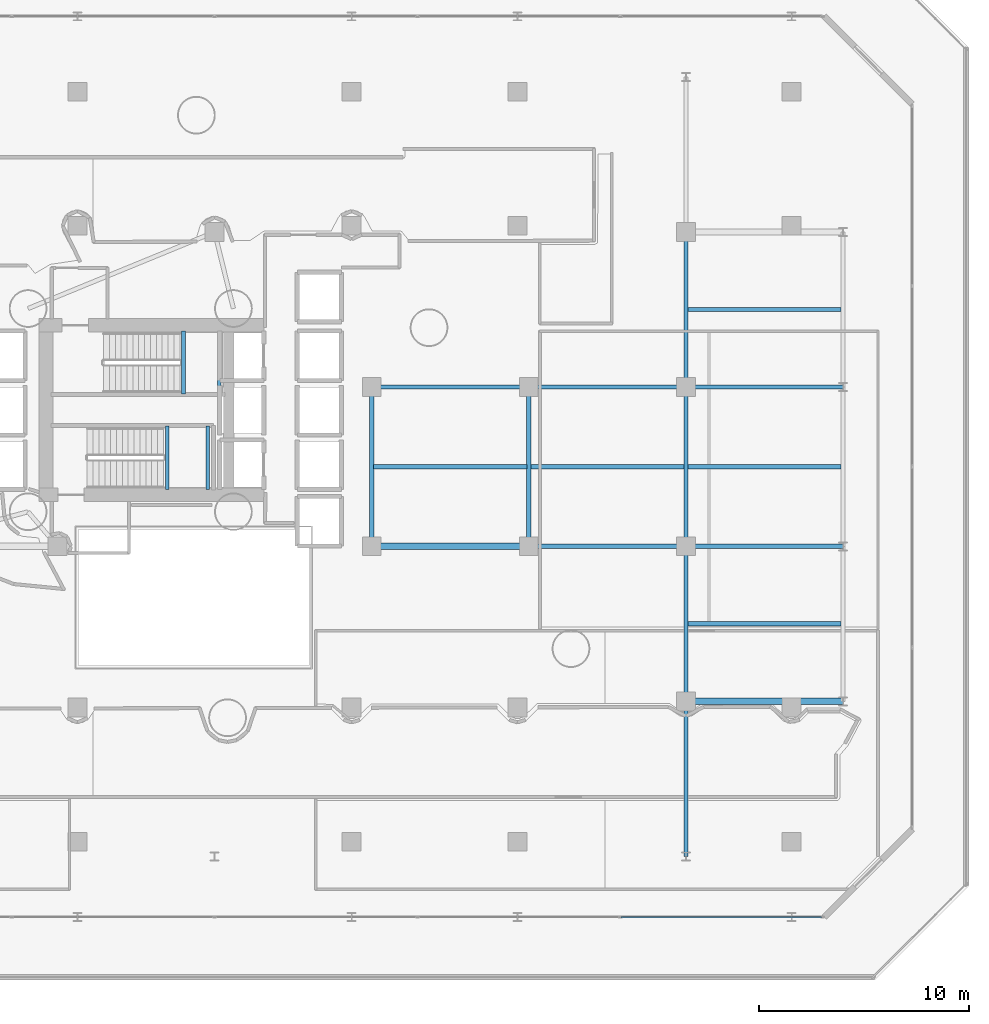
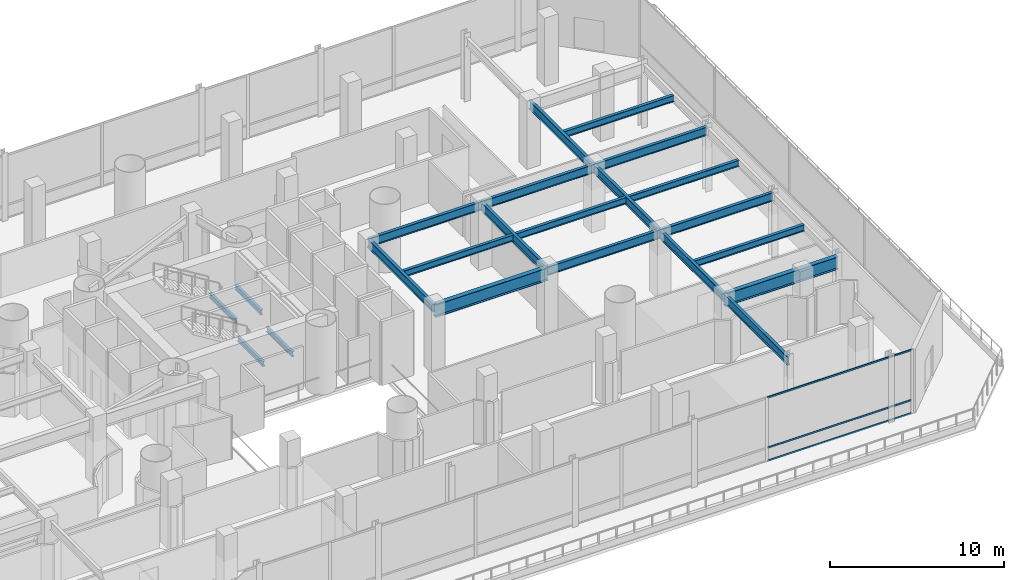
# One storey, part 13 of 39: 22 beams, 3 members, 1 element without a shape of its own.
"""IFC4 building model written with IfcOpenShell, lengths in metres."""

from ifc_helpers import new_model, si_unit, direction, frame, origin, origin_2d, place, context, subcontext, project, spatial, hollow_rectangle, i_section, extrude, material, layer, layer_set, material_profile, profile_set, type_object, element, aggregate, save


model = new_model("IFC4")

# Units and contexts
model_context = context("Model", 3, precision=1e-05, world=origin(), true_north=direction((0.0, 1.0)))
body_context = subcontext(model_context, "Body", "Model", "MODEL_VIEW")
ifc_project = project(units=[si_unit("LENGTHUNIT", "METRE"), si_unit("AREAUNIT", "SQUARE_METRE"), si_unit("VOLUMEUNIT", "CUBIC_METRE"), si_unit("PLANEANGLEUNIT", "RADIAN"), si_unit("MASSUNIT", "GRAM", prefix="KILO")], contexts=[model_context])

# Site, building, storey
site_placement = place(None, origin())
site = spatial("IfcSite", under=ifc_project, at=site_placement, CompositionType="ELEMENT")
building_placement = place(site_placement, origin())
building = spatial("IfcBuilding", under=site, at=building_placement, Name="Qianvela Tower", CompositionType="ELEMENT")
storey_placement = place(building_placement, frame((0.0, 0.0, 15.800048828125)))
storey = spatial("IfcBuildingStorey", under=building, at=storey_placement, Name="L03", CompositionType="ELEMENT", Elevation=15.800048828125)

# Beams
ifc_material_1 = material(Name="Steel Q355B", Category="steel")
ifc_material_profile_1 = material_profile(ifc_material_1, i_section(OverallWidth=0.175048828125, OverallDepth=0.35009765625, WebThickness=0.007080078125, FlangeThickness=0.010986328125, at=origin_2d()), Name="HN350x175x7x11")
ifc_profile_set_1 = profile_set([ifc_material_profile_1], Name="Steel Q355B")
beam_type_1 = type_object("IfcBeamType", Name="BM-HN350-JOIST", PredefinedType="JOIST", material=ifc_profile_set_1)
for number, where, z_axis, x_axis, name in (
    (1, (36.02001953125, 29.4599609375, 2.02490234375), (0.0, 1.0, 0.0), (-1.0, 0.0, 0.0), "L03 Stair ST-1 Landing Support Beam 1.1"),
    (2, (37.719970703125, 29.4599609375, 2.02490234375), (0.0, 1.0, 0.0), (-1.0, 0.0, 0.0), "L03 Stair ST-1 Landing Support Beam 1.2"),
    (3, (35.239990234375, 24.919921875, 2.02490234375), (0.0, 1.0, 0.0), (-1.0, 0.0, 0.0), "L03 Stair ST-2 Landing Support Beam 1.1"),
    (4, (37.169921875, 24.919921875, 2.02490234375), (0.0, 1.0, 0.0), (-1.0, 0.0, 0.0), "L03 Stair ST-2 Landing Support Beam 1.2"),
):
    element("IfcBeam", number, at=place(storey_placement, frame(where, z_axis=z_axis, x_axis=x_axis)), inside=storey, type_object=beam_type_1, Name=name, PredefinedType="JOIST", context=body_context, shape_type="SweptSolid", body=[
        extrude(i_section(OverallWidth=0.175048828125, OverallDepth=0.35009765625, WebThickness=0.007080078125, FlangeThickness=0.010986328125, at=origin_2d()), origin(), (0.0, 0.0, 1.0), 3.02001953125),
    ])
ifc_material_2 = material(Name="Steel Q355B", Category="steel")
ifc_material_profile_2 = material_profile(ifc_material_2, i_section(OverallWidth=0.199951171875, OverallDepth=0.449951171875, WebThickness=0.009033203125, FlangeThickness=0.013916015625, at=origin_2d()), Name="HN450x200x9x14")
ifc_profile_set_2 = profile_set([ifc_material_profile_2], Name="Steel Q355B")
beam_type_2 = type_object("IfcBeamType", Name="BM-HN450-JOIST", PredefinedType="JOIST", material=ifc_profile_set_2)
for number, where, z_axis, x_axis, name in (
    (5, (45.095947265625, 26.0, 4.27294921875), (1.0, 0.0, 0.0), (0.0, 1.0, 0.0), "L03 Secondary Floor Joist 46"),
    (6, (52.595947265625, 26.0, 4.27294921875), (1.0, 0.0, 0.0), (0.0, 1.0, 0.0), "L03 Secondary Floor Joist 47"),
    (7, (60.095947265625, 18.5, 4.27294921875), (1.0, 0.0, 0.0), (0.0, 1.0, 0.0), "L03 Secondary Floor Joist 48"),
    (8, (60.095947265625, 26.0, 4.27294921875), (1.0, 0.0, 0.0), (0.0, 1.0, 0.0), "L03 Secondary Floor Joist 49"),
    (9, (60.095947265625, 33.5, 4.27294921875), (1.0, 0.0, 0.0), (0.0, 1.0, 0.0), "L03 Secondary Floor Joist 50"),
):
    element("IfcBeam", number, at=place(storey_placement, frame(where, z_axis=z_axis, x_axis=x_axis)), inside=storey, type_object=beam_type_2, Name=name, PredefinedType="JOIST", context=body_context, shape_type="SweptSolid", body=[
        extrude(i_section(OverallWidth=0.199951171875, OverallDepth=0.449951171875, WebThickness=0.009033203125, FlangeThickness=0.013916015625, at=origin_2d()), origin(), (0.0, 0.0, 1.0), 7.30810546875),
    ])
ifc_material_3 = material(Name="Steel Q355B", Category="steel")
ifc_material_profile_3 = material_profile(ifc_material_3, i_section(OverallWidth=0.199951171875, OverallDepth=0.60009765625, WebThickness=0.010986328125, FlangeThickness=0.01708984375, at=origin_2d()), Name="HN600x200x11x17")
ifc_profile_set_3 = profile_set([ifc_material_profile_3], Name="Steel Q355B")
beam_type_3 = type_object("IfcBeamType", Name="BM-HN600-GIRD", PredefinedType="BEAM", material=ifc_profile_set_3)
for number, where, z_axis, x_axis, name in (
    (10, (52.5, 22.199951171875, 4.197998046875), (1.0, 0.0, 0.0), (0.0, 1.0, 0.0), "L03 East-West Grid Girder 7"),
    (11, (60.0, 22.199951171875, 4.197998046875), (1.0, 0.0, 0.0), (0.0, 1.0, 0.0), "L03 East-West Grid Girder 8"),
    (12, (45.0, 29.800048828125, 4.197998046875), (1.0, 0.0, 0.0), (0.0, 1.0, 0.0), "L03 East-West Grid Girder 11"),
    (13, (52.5, 29.800048828125, 4.197998046875), (1.0, 0.0, 0.0), (0.0, 1.0, 0.0), "L03 East-West Grid Girder 12"),
    (14, (60.0, 29.800048828125, 4.197998046875), (1.0, 0.0, 0.0), (0.0, 1.0, 0.0), "L03 East-West Grid Girder 13"),
):
    element("IfcBeam", number, at=place(storey_placement, frame(where, z_axis=z_axis, x_axis=x_axis)), inside=storey, type_object=beam_type_3, Name=name, PredefinedType="BEAM", context=body_context, shape_type="SweptSolid", body=[
        extrude(i_section(OverallWidth=0.199951171875, OverallDepth=0.60009765625, WebThickness=0.010986328125, FlangeThickness=0.01708984375, at=origin_2d()), origin(), (0.0, 0.0, 1.0), 7.5),
    ])
for number, where, z_axis, x_axis, name in (
    (15, (45.0, 22.199951171875, 4.197998046875), (0.0, 1.0, 0.0), (-1.0, 0.0, 0.0), "L03 North-South Grid Girder 25"),
    (16, (52.5, 22.199951171875, 4.197998046875), (0.0, 1.0, 0.0), (-1.0, 0.0, 0.0), "L03 North-South Grid Girder 26"),
):
    element("IfcBeam", number, at=place(storey_placement, frame(where, z_axis=z_axis, x_axis=x_axis)), inside=storey, type_object=beam_type_3, Name=name, PredefinedType="BEAM", context=body_context, shape_type="SweptSolid", body=[
        extrude(i_section(OverallWidth=0.199951171875, OverallDepth=0.60009765625, WebThickness=0.010986328125, FlangeThickness=0.01708984375, at=origin_2d()), origin(), (0.0, 0.0, 1.0), 7.60009765625),
    ])
beam_1_placement = place(storey_placement, frame((60.0, 7.39990234375, 4.197998046875), z_axis=(0.0, 1.0, 0.0), x_axis=(-1.0, 0.0, 0.0)))
element("IfcBeam", 17, at=beam_1_placement, inside=storey, type_object=beam_type_3, Name="L03 North-South Grid Girder 27", PredefinedType="BEAM", context=body_context, shape_type="SweptSolid", body=[
    extrude(i_section(OverallWidth=0.199951171875, OverallDepth=0.60009765625, WebThickness=0.010986328125, FlangeThickness=0.01708984375, at=origin_2d()), origin(), (0.0, 0.0, 1.0), 7.400146484375),
])
beam_2_placement = place(storey_placement, frame((60.0, 14.800048828125, 4.197998046875), z_axis=(0.0, 1.0, 0.0), x_axis=(-1.0, 0.0, 0.0)))
element("IfcBeam", 18, at=beam_2_placement, inside=storey, type_object=beam_type_3, Name="L03 North-South Grid Girder 28", PredefinedType="BEAM", context=body_context, shape_type="SweptSolid", body=[
    extrude(i_section(OverallWidth=0.199951171875, OverallDepth=0.60009765625, WebThickness=0.010986328125, FlangeThickness=0.01708984375, at=origin_2d()), origin(), (0.0, 0.0, 1.0), 7.39990234375),
])
beam_3_placement = place(storey_placement, frame((60.0, 22.199951171875, 4.197998046875), z_axis=(0.0, 1.0, 0.0), x_axis=(-1.0, 0.0, 0.0)))
element("IfcBeam", 19, at=beam_3_placement, inside=storey, type_object=beam_type_3, Name="L03 North-South Grid Girder 29", PredefinedType="BEAM", context=body_context, shape_type="SweptSolid", body=[
    extrude(i_section(OverallWidth=0.199951171875, OverallDepth=0.60009765625, WebThickness=0.010986328125, FlangeThickness=0.01708984375, at=origin_2d()), origin(), (0.0, 0.0, 1.0), 7.60009765625),
])
beam_4_placement = place(storey_placement, frame((60.0, 29.800048828125, 4.197998046875), z_axis=(0.0, 1.0, 0.0), x_axis=(-1.0, 0.0, 0.0)))
element("IfcBeam", 20, at=beam_4_placement, inside=storey, type_object=beam_type_3, Name="L03 North-South Grid Girder 30", PredefinedType="BEAM", context=body_context, shape_type="SweptSolid", body=[
    extrude(i_section(OverallWidth=0.199951171875, OverallDepth=0.60009765625, WebThickness=0.010986328125, FlangeThickness=0.01708984375, at=origin_2d()), origin(), (0.0, 0.0, 1.0), 7.39990234375),
])
ifc_material_4 = material(Name="Steel Q355B", Category="steel")
ifc_material_profile_4 = material_profile(ifc_material_4, i_section(OverallWidth=0.300048828125, OverallDepth=0.89990234375, WebThickness=0.01611328125, FlangeThickness=0.028076171875, at=origin_2d()), Name="HN900x300x16x28")
ifc_profile_set_4 = profile_set([ifc_material_profile_4], Name="Steel Q355B")
beam_type_4 = type_object("IfcBeamType", Name="BM-HN900-SPAND", PredefinedType="SPANDREL", material=ifc_profile_set_4)
for number, where, z_axis, x_axis, name in (
    (21, (60.0, 14.800048828125, 4.0478515625), (1.0, 0.0, 0.0), (0.0, 1.0, 0.0), "L03 East-West Grid Girder 2"),
    (22, (45.0, 22.199951171875, 4.0478515625), (1.0, 0.0, 0.0), (0.0, 1.0, 0.0), "L03 East-West Grid Girder 6"),
):
    element("IfcBeam", number, at=place(storey_placement, frame(where, z_axis=z_axis, x_axis=x_axis)), inside=storey, type_object=beam_type_4, Name=name, PredefinedType="SPANDREL", context=body_context, shape_type="SweptSolid", body=[
        extrude(i_section(OverallWidth=0.300048828125, OverallDepth=0.89990234375, WebThickness=0.01611328125, FlangeThickness=0.028076171875, at=origin_2d()), origin(), (0.0, 0.0, 1.0), 7.5),
    ])

# Curtain wall, members
ifc_material_5 = material(Name="Anodised Architectural Aluminium and Low-E Glass", Category="aluminium")
ifc_layer = layer(ifc_material_5, 0.179931640625)
ifc_layer_set = layer_set([ifc_layer], Name="Anodised Architectural Aluminium and Low-E Glass")
curtain_wall_type = type_object("IfcCurtainWallType", Name="CW-COMMONS", PredefinedType="USERDEFINED", material=ifc_layer_set)
curtain_wall_placement = place(storey_placement, origin())
curtain_wall = element("IfcCurtainWall", 23, at=curtain_wall_placement, inside=storey, type_object=curtain_wall_type, Name="L03 CW-COMMONS Curtain Wall 01", ObjectType="CURTAIN_WALL_SYSTEM", PredefinedType="USERDEFINED")
ifc_material_6 = material(Name="Anodised Architectural Aluminium 6063-T6", Category="aluminium")
ifc_material_profile_5 = material_profile(ifc_material_6, hollow_rectangle(XDim=0.06005859375, YDim=0.114990234375, WallThickness=0.00390625, at=origin_2d()), Name="ALU-TRAN-60x115")
ifc_profile_set_5 = profile_set([ifc_material_profile_5], Name="Anodised Architectural Aluminium 6063-T6")
member_type = type_object("IfcMemberType", Name="CW-COMMONS-TRAN", PredefinedType="USERDEFINED", material=ifc_profile_set_5)
member_1_placement = place(storey_placement, frame((56.901611328125, 4.5, 0.030029296875), z_axis=(1.0, 0.0, 0.0), x_axis=(0.0, 1.0, 0.0)))
member_1 = element("IfcMember", 24, at=member_1_placement, type_object=member_type, Name="CW-2 transom 6.1", ObjectType="TRANSOM", PredefinedType="USERDEFINED", context=body_context, shape_type="SweptSolid", body=[
    extrude(hollow_rectangle(XDim=0.06005859375, YDim=0.114990234375, WallThickness=0.00390625, at=origin_2d()), origin(), (0.0, 0.0, 1.0), 9.578369140625),
])
member_2_placement = place(storey_placement, frame((56.901611328125, 4.5, 0.949951171875), z_axis=(1.0, 0.0, 0.0), x_axis=(0.0, 1.0, 0.0)))
member_2 = element("IfcMember", 25, at=member_2_placement, type_object=member_type, Name="CW-2 transom 6.2", ObjectType="TRANSOM", PredefinedType="USERDEFINED", context=body_context, shape_type="SweptSolid", body=[
    extrude(hollow_rectangle(XDim=0.06005859375, YDim=0.114990234375, WallThickness=0.00390625, at=origin_2d()), origin(), (0.0, 0.0, 1.0), 9.578369140625),
])
member_3_placement = place(storey_placement, frame((56.901611328125, 4.5, 4.469970703125), z_axis=(1.0, 0.0, 0.0), x_axis=(0.0, 1.0, 0.0)))
member_3 = element("IfcMember", 26, at=member_3_placement, type_object=member_type, Name="CW-2 transom 6.3", ObjectType="TRANSOM", PredefinedType="USERDEFINED", context=body_context, shape_type="SweptSolid", body=[
    extrude(hollow_rectangle(XDim=0.06005859375, YDim=0.114990234375, WallThickness=0.00390625, at=origin_2d()), origin(), (0.0, 0.0, 1.0), 9.578369140625),
])
aggregate(curtain_wall, [member_1, member_2, member_3])

save(model, "model.ifc")
